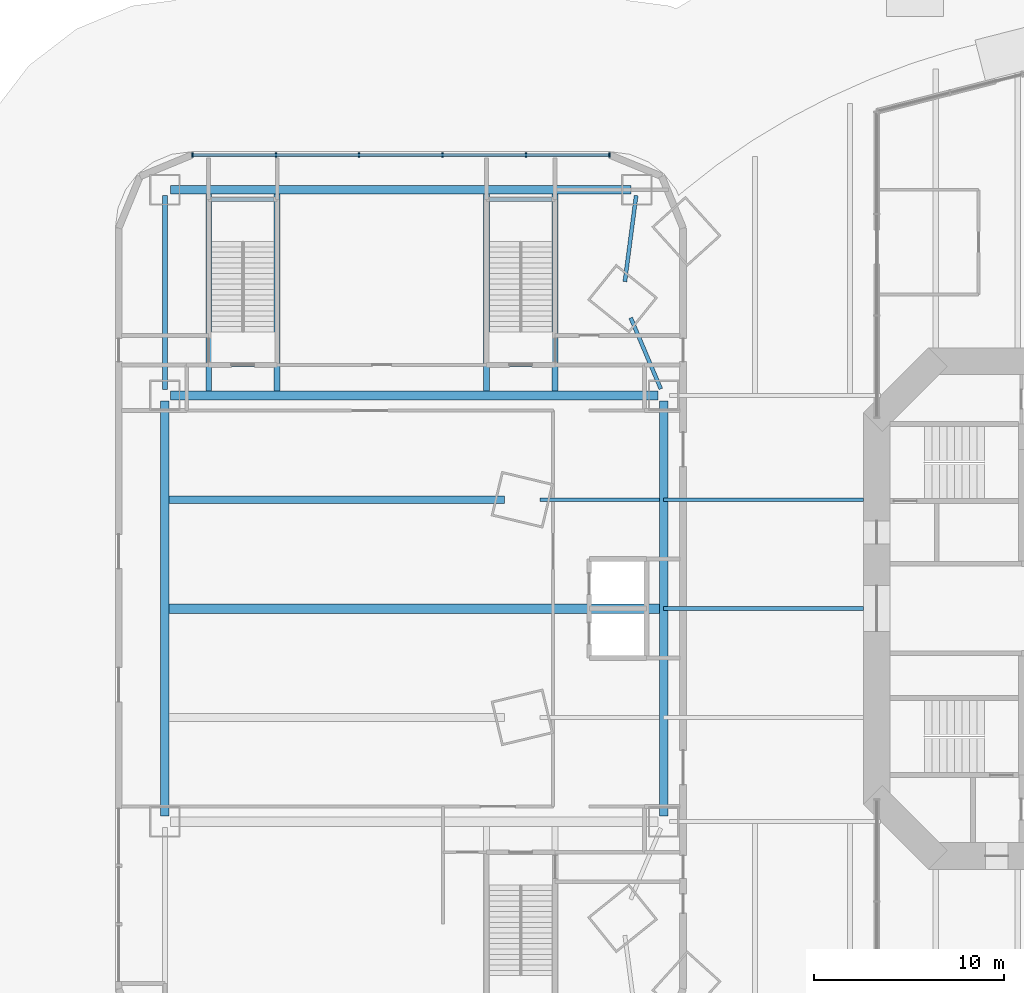
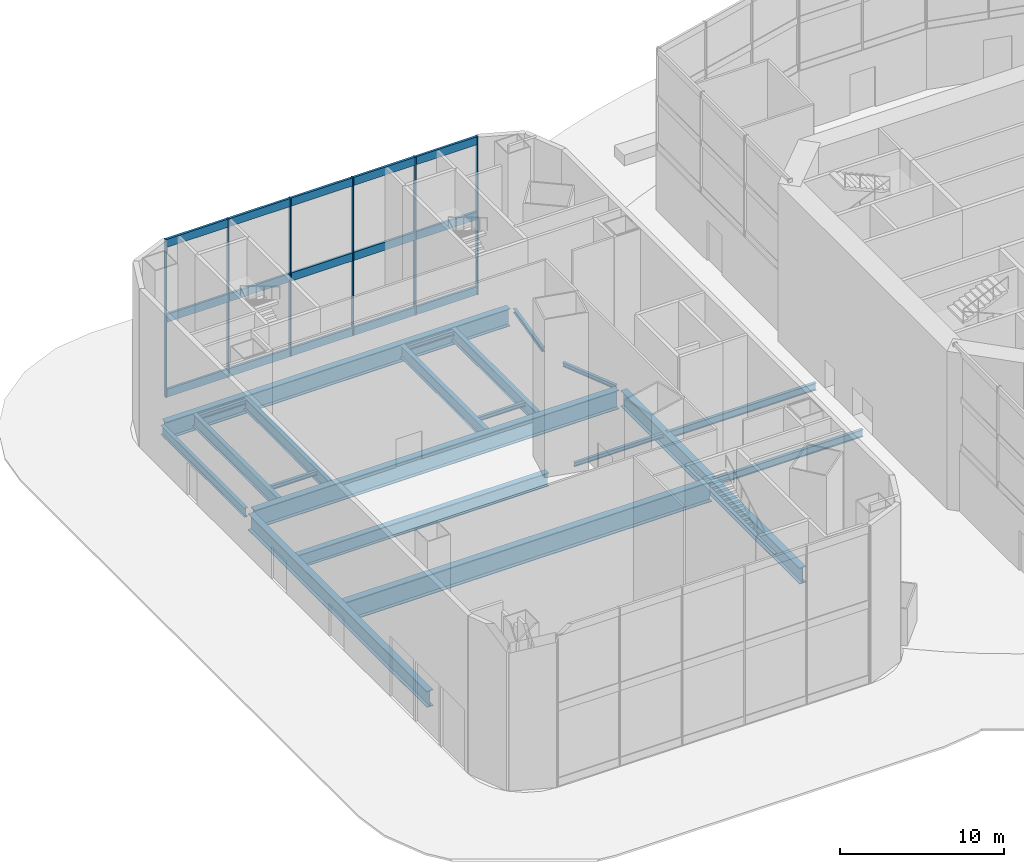
# One storey, part 4 of 23: 20 beams, 9 members, 1 element without a shape of its own.
"""IFC4 building model written with IfcOpenShell, lengths in metres."""

from ifc_helpers import new_model, si_unit, direction, frame, origin, origin_2d, place, context, subcontext, project, spatial, rectangle, i_section, extrude, material, material_profile, profile_set, type_object, element, aggregate, save


model = new_model("IFC4")

# Units and contexts
model_context = context("Model", 3, precision=1e-05, world=origin(), true_north=direction((0.0, 1.0)))
body_context = subcontext(model_context, "Body", "Model", "MODEL_VIEW")
ifc_project = project(units=[si_unit("LENGTHUNIT", "METRE"), si_unit("AREAUNIT", "SQUARE_METRE"), si_unit("VOLUMEUNIT", "CUBIC_METRE"), si_unit("PLANEANGLEUNIT", "RADIAN"), si_unit("MASSUNIT", "GRAM", prefix="KILO")], contexts=[model_context])

# Site, building, storey
site_placement = place(None, origin())
site = spatial("IfcSite", under=ifc_project, at=site_placement, CompositionType="ELEMENT")
building_placement = place(site_placement, origin())
building = spatial("IfcBuilding", under=site, at=building_placement, Name="Marenthal Gate Tower", CompositionType="ELEMENT")
storey_placement = place(building_placement, origin())
storey = spatial("IfcBuildingStorey", under=building, at=storey_placement, Name="L00", CompositionType="ELEMENT", Elevation=0.0)

# Curtain wall, members
ifc_material_1 = material(Name="Aluminium and glass", Category="aluminium")
curtain_wall_type = type_object("IfcCurtainWallType", Name="Curtain wall podium impact", PredefinedType="NOTDEFINED", material=ifc_material_1)
curtain_wall_placement = place(storey_placement, origin())
curtain_wall = element("IfcCurtainWall", 1, at=curtain_wall_placement, inside=storey, type_object=curtain_wall_type, Name="Curtain wall L00 W6", PredefinedType="NOTDEFINED")
ifc_material_2 = material(Name="Aluminium", Category="aluminium")
ifc_material_profile_1 = material_profile(ifc_material_2, rectangle(XDim=0.25, YDim=0.080078125, at=origin_2d()), Name="80x250 aluminium mullion")
ifc_profile_set_1 = profile_set([ifc_material_profile_1], Name="Aluminium")
member_type_1 = type_object("IfcMemberType", Name="Mullion 80x250 podium impact", PredefinedType="MULLION", material=ifc_profile_set_1)
member_1_placement = place(storey_placement, frame((-30.051513671875, 23.824951171875, 0.0), z_axis=(0.0, 0.0, 1.0), x_axis=(0.0, -1.0, 0.0)))
member_1 = element("IfcMember", 2, at=member_1_placement, type_object=member_type_1, Name="Mullion L00 W6.1", PredefinedType="MULLION", context=body_context, shape_type="SweptSolid", body=[
    extrude(rectangle(XDim=0.25, YDim=0.080078125, at=origin_2d()), origin(), (0.0, 0.0, 1.0), 11.75),
])
member_2_placement = place(storey_placement, frame((-34.430908203125, 23.824951171875, 0.0), z_axis=(0.0, 0.0, 1.0), x_axis=(0.0, -1.0, 0.0)))
member_2 = element("IfcMember", 3, at=member_2_placement, type_object=member_type_1, Name="Mullion L00 W6.2", PredefinedType="MULLION", context=body_context, shape_type="SweptSolid", body=[
    extrude(rectangle(XDim=0.25, YDim=0.080078125, at=origin_2d()), origin(), (0.0, 0.0, 1.0), 11.75),
])
member_3_placement = place(storey_placement, frame((-38.810302734375, 23.824951171875, 0.0), z_axis=(0.0, 0.0, 1.0), x_axis=(0.0, -1.0, 0.0)))
member_3 = element("IfcMember", 4, at=member_3_placement, type_object=member_type_1, Name="Mullion L00 W6.3", PredefinedType="MULLION", context=body_context, shape_type="SweptSolid", body=[
    extrude(rectangle(XDim=0.25, YDim=0.080078125, at=origin_2d()), origin(), (0.0, 0.0, 1.0), 11.75),
])
member_4_placement = place(storey_placement, frame((-43.189697265625, 23.824951171875, 0.0), z_axis=(0.0, 0.0, 1.0), x_axis=(0.0, -1.0, 0.0)))
member_4 = element("IfcMember", 5, at=member_4_placement, type_object=member_type_1, Name="Mullion L00 W6.4", PredefinedType="MULLION", context=body_context, shape_type="SweptSolid", body=[
    extrude(rectangle(XDim=0.25, YDim=0.080078125, at=origin_2d()), origin(), (0.0, 0.0, 1.0), 11.75),
])
member_5_placement = place(storey_placement, frame((-47.569091796875, 23.824951171875, 0.0), z_axis=(0.0, 0.0, 1.0), x_axis=(0.0, -1.0, 0.0)))
member_5 = element("IfcMember", 6, at=member_5_placement, type_object=member_type_1, Name="Mullion L00 W6.5", PredefinedType="MULLION", context=body_context, shape_type="SweptSolid", body=[
    extrude(rectangle(XDim=0.25, YDim=0.080078125, at=origin_2d()), origin(), (0.0, 0.0, 1.0), 11.75),
])
member_6_placement = place(storey_placement, frame((-51.948486328125, 23.824951171875, 0.0), z_axis=(0.0, 0.0, 1.0), x_axis=(0.0, -1.0, 0.0)))
member_6 = element("IfcMember", 7, at=member_6_placement, type_object=member_type_1, Name="Mullion L00 W6.6", PredefinedType="MULLION", context=body_context, shape_type="SweptSolid", body=[
    extrude(rectangle(XDim=0.25, YDim=0.080078125, at=origin_2d()), origin(), (0.0, 0.0, 1.0), 11.75),
])

# Beams
ifc_material_3 = material(Name="Steel S355", Category="steel")
ifc_material_profile_2 = material_profile(ifc_material_3, i_section(OverallWidth=0.419921875, OverallDepth=1.0, WebThickness=0.02001953125, FlangeThickness=0.035888671875, at=origin_2d()), Name="PLATE GIRDER 1000X420X20X36")
ifc_profile_set_2 = profile_set([ifc_material_profile_2], Name="Steel S355")
beam_type_1 = type_object("IfcBeamType", Name="PLATE GIRDER 1000X420X20X36 beam", PredefinedType="BEAM", material=ifc_profile_set_2)
beam_1_placement = place(storey_placement, frame((-35.561279296875, 5.716064453125, -0.75), z_axis=(-1.0, 0.0, 0.0), x_axis=(0.0, -1.0, 0.0)))
element("IfcBeam", 8, at=beam_1_placement, inside=storey, type_object=beam_type_1, Name="BM-L00-128", PredefinedType="BEAM", context=body_context, shape_type="SweptSolid", body=[
    extrude(i_section(OverallWidth=0.419921875, OverallDepth=1.0, WebThickness=0.02001953125, FlangeThickness=0.035888671875, at=origin_2d()), origin(), (0.0, 0.0, 1.0), 17.61376953125),
])
ifc_material_4 = material(Name="Steel S355", Category="steel")
ifc_material_profile_3 = material_profile(ifc_material_4, i_section(OverallWidth=0.449951171875, OverallDepth=1.199951171875, WebThickness=0.02197265625, FlangeThickness=0.0400390625, at=origin_2d()), Name="PLATE GIRDER 1200X450X22X40")
ifc_profile_set_3 = profile_set([ifc_material_profile_3], Name="Steel S355")
beam_type_2 = type_object("IfcBeamType", Name="PLATE GIRDER 1200X450X22X40 beam", PredefinedType="BEAM", material=ifc_profile_set_3)
for number, where, z_axis, x_axis, name in (
    (9, (-53.39990234375, -10.89990234375, -0.85009765625), (0.0, 1.0, 0.0), (-1.0, 0.0, 0.0), "BM-L00-119"),
    (10, (-27.199951171875, -10.89990234375, -0.85009765625), (0.0, 1.0, 0.0), (-1.0, 0.0, 0.0), "BM-L00-121"),
):
    element("IfcBeam", number, at=place(storey_placement, frame(where, z_axis=z_axis, x_axis=x_axis)), inside=storey, type_object=beam_type_2, Name=name, PredefinedType="BEAM", context=body_context, shape_type="SweptSolid", body=[
        extrude(i_section(OverallWidth=0.449951171875, OverallDepth=1.199951171875, WebThickness=0.02197265625, FlangeThickness=0.0400390625, at=origin_2d()), origin(), (0.0, 0.0, 1.0), 21.7998046875),
    ])
ifc_material_5 = material(Name="Steel S355", Category="steel")
ifc_material_profile_4 = material_profile(ifc_material_5, i_section(OverallWidth=0.4599609375, OverallDepth=1.300048828125, WebThickness=0.02490234375, FlangeThickness=0.044921875, at=origin_2d()), Name="PLATE GIRDER 1300X460X25X45")
ifc_profile_set_4 = profile_set([ifc_material_profile_4], Name="Steel S355")
beam_type_3 = type_object("IfcBeamType", Name="PLATE GIRDER 1300X460X25X45 beam", PredefinedType="BEAM", material=ifc_profile_set_4)
beam_2_placement = place(storey_placement, frame((-28.89990234375, 22.0, -0.89990234375), z_axis=(-1.0, 0.0, 0.0), x_axis=(0.0, -1.0, 0.0)))
element("IfcBeam", 11, at=beam_2_placement, inside=storey, type_object=beam_type_3, Name="BM-L00-130", PredefinedType="BEAM", context=body_context, shape_type="SweptSolid", body=[
    extrude(i_section(OverallWidth=0.4599609375, OverallDepth=1.300048828125, WebThickness=0.02490234375, FlangeThickness=0.044921875, at=origin_2d()), origin(), (0.0, 0.0, 1.0), 24.2001953125),
])
ifc_material_6 = material(Name="Steel S355", Category="steel")
ifc_material_profile_5 = material_profile(ifc_material_6, i_section(OverallWidth=0.47998046875, OverallDepth=1.39990234375, WebThickness=0.02490234375, FlangeThickness=0.044921875, at=origin_2d()), Name="PLATE GIRDER 1400X480X25X45")
ifc_profile_set_5 = profile_set([ifc_material_profile_5], Name="Steel S355")
beam_type_4 = type_object("IfcBeamType", Name="PLATE GIRDER 1400X480X25X45 beam", PredefinedType="BEAM", material=ifc_profile_set_5)
beam_3_placement = place(storey_placement, frame((-27.5, 11.199951171875, -0.949951171875), z_axis=(-1.0, 0.0, 0.0), x_axis=(0.0, -1.0, 0.0)))
element("IfcBeam", 12, at=beam_3_placement, inside=storey, type_object=beam_type_4, Name="BM-L00-129", PredefinedType="BEAM", context=body_context, shape_type="SweptSolid", body=[
    extrude(i_section(OverallWidth=0.47998046875, OverallDepth=1.39990234375, WebThickness=0.02490234375, FlangeThickness=0.044921875, at=origin_2d()), origin(), (0.0, 0.0, 1.0), 25.60009765625),
])
ifc_material_7 = material(Name="Steel S355", Category="steel")
ifc_material_profile_6 = material_profile(ifc_material_7, i_section(OverallWidth=0.5, OverallDepth=1.5, WebThickness=0.02490234375, FlangeThickness=0.050048828125, at=origin_2d()), Name="PLATE GIRDER 1500X500X25X50")
ifc_profile_set_6 = profile_set([ifc_material_profile_6], Name="Steel S355")
beam_type_5 = type_object("IfcBeamType", Name="PLATE GIRDER 1500X500X25X50 beam", PredefinedType="BEAM", material=ifc_profile_set_6)
beam_4_placement = place(storey_placement, frame((-27.425048828125, 0.0, -1.0), z_axis=(-1.0, 0.0, 0.0), x_axis=(0.0, -1.0, 0.0)))
element("IfcBeam", 13, at=beam_4_placement, inside=storey, type_object=beam_type_5, Name="BM-L00-126", PredefinedType="BEAM", context=body_context, shape_type="SweptSolid", body=[
    extrude(i_section(OverallWidth=0.5, OverallDepth=1.5, WebThickness=0.02490234375, FlangeThickness=0.050048828125, at=origin_2d()), origin(), (0.0, 0.0, 1.0), 25.75),
])

# Member
ifc_material_8 = material(Name="Aluminium", Category="aluminium")
ifc_material_profile_7 = material_profile(ifc_material_8, rectangle(XDim=0.159912109375, YDim=0.60009765625, at=origin_2d()), Name="160x600 aluminium transom")
ifc_profile_set_7 = profile_set([ifc_material_profile_7], Name="Aluminium")
member_type_2 = type_object("IfcMemberType", Name="Transom 160x600 podium impact", PredefinedType="USERDEFINED", material=ifc_profile_set_7)
member_7_placement = place(storey_placement, frame((-30.091552734375, 23.824951171875, 0.300048828125), z_axis=(-1.0, 0.0, 0.0), x_axis=(0.0, -1.0, 0.0)))
member_7 = element("IfcMember", 14, at=member_7_placement, type_object=member_type_2, Name="Transom L00 W6.1", ObjectType="TRANSOM", PredefinedType="USERDEFINED", context=body_context, shape_type="SweptSolid", body=[
    extrude(rectangle(XDim=0.159912109375, YDim=0.60009765625, at=origin_2d()), origin(), (0.0, 0.0, 1.0), 21.81689453125),
])

member_8_placement = place(storey_placement, frame((-30.091552734375, 23.824951171875, 5.875), z_axis=(-1.0, 0.0, 0.0), x_axis=(0.0, -1.0, 0.0)))
member_8 = element("IfcMember", 15, at=member_8_placement, type_object=member_type_2, Name="Transom L00 W6.2", ObjectType="TRANSOM", PredefinedType="USERDEFINED", context=body_context, shape_type="SweptSolid", body=[
    extrude(rectangle(XDim=0.159912109375, YDim=0.60009765625, at=origin_2d()), origin(), (0.0, 0.0, 1.0), 21.81689453125),
])

member_9_placement = place(storey_placement, frame((-30.091552734375, 23.824951171875, 11.449951171875), z_axis=(-1.0, 0.0, 0.0), x_axis=(0.0, -1.0, 0.0)))
member_9 = element("IfcMember", 16, at=member_9_placement, type_object=member_type_2, Name="Transom L00 W6.3", ObjectType="TRANSOM", PredefinedType="USERDEFINED", context=body_context, shape_type="SweptSolid", body=[
    extrude(rectangle(XDim=0.159912109375, YDim=0.60009765625, at=origin_2d()), origin(), (0.0, 0.0, 1.0), 21.81689453125),
])

aggregate(curtain_wall, [member_1, member_2, member_3, member_4, member_5, member_6, member_7, member_8, member_9])

# Beams
ifc_material_9 = material(Name="Steel S355", Category="steel")
ifc_material_profile_8 = material_profile(ifc_material_9, i_section(OverallWidth=0.202880859375, OverallDepth=0.302001953125, WebThickness=0.007568359375, FlangeThickness=0.01318359375, FilletRadius=0.0126953125, at=origin_2d()), Name="W310X60")
ifc_profile_set_8 = profile_set([ifc_material_profile_8], Name="Steel S355")
beam_type_6 = type_object("IfcBeamType", Name="W310X60 beam", PredefinedType="BEAM", material=ifc_profile_set_8)
beam_5_placement = place(storey_placement, frame((-27.425048828125, 5.716064453125, -0.40087890625), z_axis=(-1.0, 0.0, 0.0), x_axis=(0.0, -1.0, 0.0)))
element("IfcBeam", 17, at=beam_5_placement, inside=storey, type_object=beam_type_6, Name="BM-L00-127", PredefinedType="BEAM", context=body_context, shape_type="SweptSolid", body=[
    extrude(i_section(OverallWidth=0.202880859375, OverallDepth=0.302001953125, WebThickness=0.007568359375, FlangeThickness=0.01318359375, FilletRadius=0.0126953125, at=origin_2d()), origin(), (0.0, 0.0, 1.0), 6.2568359375),
])
beam_6_placement = place(storey_placement, frame((-27.34375, 11.53955078125, -0.40087890625), z_axis=(-0.390030578719, 0.920801904681, 0.0), x_axis=(-0.920801904681, -0.390030578719, 0.0)))
element("IfcBeam", 18, at=beam_6_placement, inside=storey, type_object=beam_type_6, Name="BM-L00-131", PredefinedType="BEAM", context=body_context, shape_type="SweptSolid", body=[
    extrude(i_section(OverallWidth=0.202880859375, OverallDepth=0.302001953125, WebThickness=0.007568359375, FlangeThickness=0.01318359375, FilletRadius=0.0126953125, at=origin_2d()), origin(), (0.0, 0.0, 1.0), 4.057373046875),
])
beam_7_placement = place(storey_placement, frame((-29.233154296875, 17.17578125, -0.40087890625), z_axis=(0.130135880417, 0.991496168741, 0.0), x_axis=(-0.991496168741, 0.130135880417, 0.0)))
element("IfcBeam", 19, at=beam_7_placement, inside=storey, type_object=beam_type_6, Name="BM-L00-132", PredefinedType="BEAM", context=body_context, shape_type="SweptSolid", body=[
    extrude(i_section(OverallWidth=0.202880859375, OverallDepth=0.302001953125, WebThickness=0.007568359375, FlangeThickness=0.01318359375, FilletRadius=0.0126953125, at=origin_2d()), origin(), (0.0, 0.0, 1.0), 4.558837890625),
])
for number, where, z_axis, x_axis, name in (
    (20, (-36.344970703125, 12.804931640625, -0.40087890625), (1.0, 0.0, 0.0), (0.0, 1.0, 0.0), "BM-L00-181"),
    (21, (-36.344970703125, 21.4951171875, -0.40087890625), (1.0, 0.0, 0.0), (0.0, 1.0, 0.0), "BM-L00-182"),
    (22, (-50.945068359375, 12.804931640625, -0.40087890625), (1.0, 0.0, 0.0), (0.0, 1.0, 0.0), "BM-L00-189"),
    (23, (-50.945068359375, 21.4951171875, -0.40087890625), (1.0, 0.0, 0.0), (0.0, 1.0, 0.0), "BM-L00-190"),
):
    element("IfcBeam", number, at=place(storey_placement, frame(where, z_axis=z_axis, x_axis=x_axis)), inside=storey, type_object=beam_type_6, Name=name, PredefinedType="BEAM", context=body_context, shape_type="SweptSolid", body=[
        extrude(i_section(OverallWidth=0.202880859375, OverallDepth=0.302001953125, WebThickness=0.007568359375, FlangeThickness=0.01318359375, FilletRadius=0.0126953125, at=origin_2d()), origin(), (0.0, 0.0, 1.0), 3.2900390625),
    ])
ifc_material_10 = material(Name="Steel S355", Category="steel")
ifc_material_profile_9 = material_profile(ifc_material_10, i_section(OverallWidth=0.2099609375, OverallDepth=0.535888671875, WebThickness=0.010986328125, FlangeThickness=0.017333984375, FilletRadius=0.0126953125, at=origin_2d()), Name="W530X101")
ifc_profile_set_9 = profile_set([ifc_material_profile_9], Name="Steel S355")
beam_type_7 = type_object("IfcBeamType", Name="W530X101 beam", PredefinedType="BEAM", material=ifc_profile_set_9)
for number, where, z_axis, x_axis, name in (
    (24, (-16.699951171875, 0.0, -0.51806640625), (-1.0, 0.0, 0.0), (0.0, -1.0, 0.0), "BM-L00-136"),
    (25, (-16.699951171875, 5.716064453125, -0.51806640625), (-1.0, 0.0, 0.0), (0.0, -1.0, 0.0), "BM-L00-138"),
):
    element("IfcBeam", number, at=place(storey_placement, frame(where, z_axis=z_axis, x_axis=x_axis)), inside=storey, type_object=beam_type_7, Name=name, PredefinedType="BEAM", context=body_context, shape_type="SweptSolid", body=[
        extrude(i_section(OverallWidth=0.2099609375, OverallDepth=0.535888671875, WebThickness=0.010986328125, FlangeThickness=0.017333984375, FilletRadius=0.0126953125, at=origin_2d()), origin(), (0.0, 0.0, 1.0), 10.5),
    ])
ifc_material_11 = material(Name="Steel S355", Category="steel")
ifc_material_profile_10 = material_profile(ifc_material_11, i_section(OverallWidth=0.25390625, OverallDepth=0.68310546875, WebThickness=0.012451171875, FlangeThickness=0.018798828125, FilletRadius=0.01513671875, at=origin_2d()), Name="W690X140")
ifc_profile_set_10 = profile_set([ifc_material_profile_10], Name="Steel S355")
beam_type_8 = type_object("IfcBeamType", Name="W690X140 beam", PredefinedType="BEAM", material=ifc_profile_set_10)
beam_8_placement = place(storey_placement, frame((-53.39990234375, 11.5, -0.591552734375), z_axis=(0.0, 1.0, 0.0), x_axis=(-1.0, 0.0, 0.0)))
element("IfcBeam", 26, at=beam_8_placement, inside=storey, type_object=beam_type_8, Name="BM-L00-120", PredefinedType="BEAM", context=body_context, shape_type="SweptSolid", body=[
    extrude(i_section(OverallWidth=0.25390625, OverallDepth=0.68310546875, WebThickness=0.012451171875, FlangeThickness=0.018798828125, FilletRadius=0.01513671875, at=origin_2d()), origin(), (0.0, 0.0, 1.0), 10.199951171875),
])
ifc_material_12 = material(Name="Steel S355", Category="steel")
ifc_material_profile_11 = material_profile(ifc_material_12, i_section(OverallWidth=0.304931640625, OverallDepth=0.904052734375, WebThickness=0.01513671875, FlangeThickness=0.02001953125, FilletRadius=0.01904296875, at=origin_2d()), Name="W920X201")
ifc_profile_set_11 = profile_set([ifc_material_profile_11], Name="Steel S355")
beam_type_9 = type_object("IfcBeamType", Name="W920X201 beam", PredefinedType="BEAM", material=ifc_profile_set_11)
for number, where, z_axis, x_axis, name in (
    (27, (-36.49755859375, 11.43994140625, -0.701904296875), (0.0, 1.0, 0.0), (-1.0, 0.0, 0.0), "BM-L00-179"),
    (28, (-32.902587890625, 11.43994140625, -0.701904296875), (0.0, 1.0, 0.0), (-1.0, 0.0, 0.0), "BM-L00-180"),
    (29, (-51.097412109375, 11.43994140625, -0.701904296875), (0.0, 1.0, 0.0), (-1.0, 0.0, 0.0), "BM-L00-187"),
    (30, (-47.50244140625, 11.43994140625, -0.701904296875), (0.0, 1.0, 0.0), (-1.0, 0.0, 0.0), "BM-L00-188"),
):
    element("IfcBeam", number, at=place(storey_placement, frame(where, z_axis=z_axis, x_axis=x_axis)), inside=storey, type_object=beam_type_9, Name=name, PredefinedType="BEAM", context=body_context, shape_type="SweptSolid", body=[
        extrude(i_section(OverallWidth=0.304931640625, OverallDepth=0.904052734375, WebThickness=0.01513671875, FlangeThickness=0.02001953125, FilletRadius=0.01904296875, at=origin_2d()), origin(), (0.0, 0.0, 1.0), 10.330078125),
    ])

save(model, "model.ifc")
